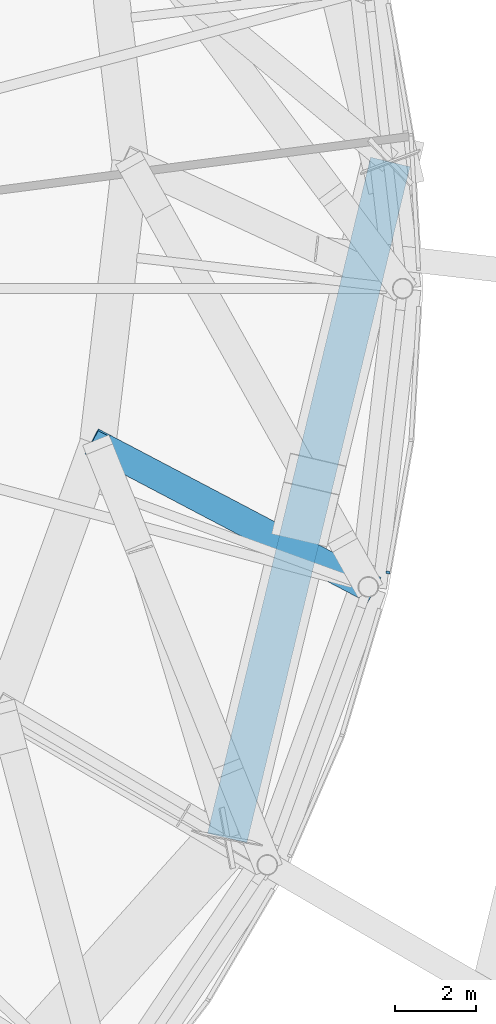
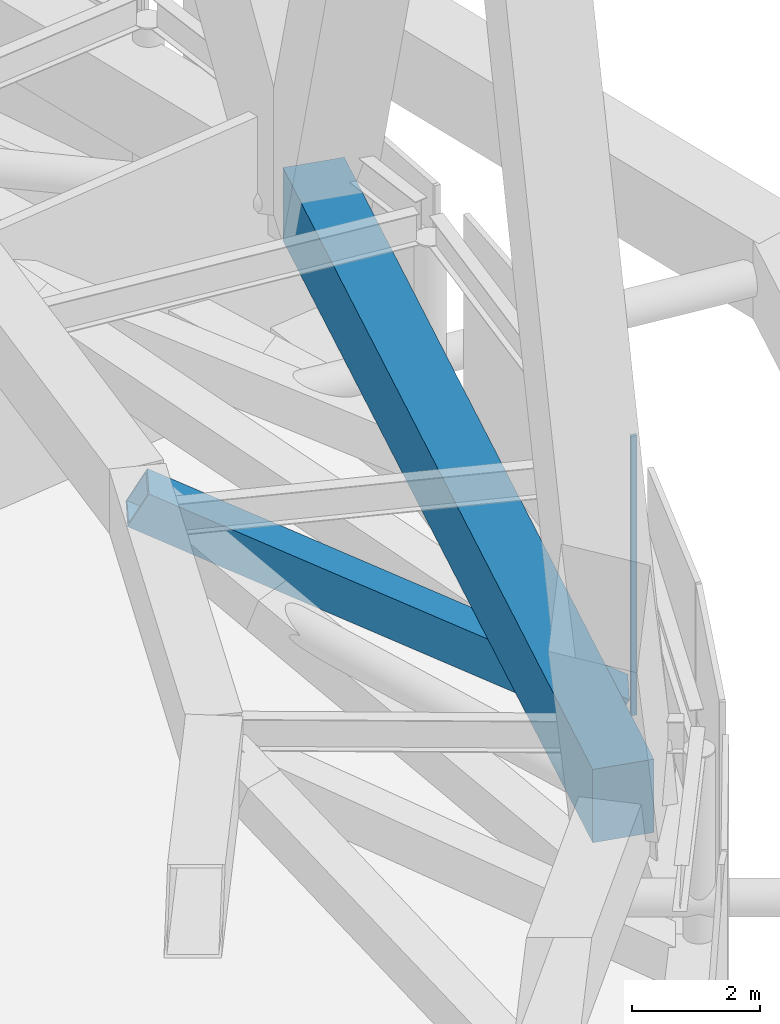
# One storey, part 24 of 60: 2 members, 1 beam, 1 element without a shape of its own.
"""IFC4 building model written with IfcOpenShell, lengths in metres."""

from ifc_helpers import new_model, si_unit, direction, frame, origin, origin_2d, place, context, subcontext, project, spatial, rectangle, hollow_rectangle, extrude, material, layer, layer_set, material_profile, profile_set, type_object, element, aggregate, save


model = new_model("IFC4")

# Units and contexts
model_context = context("Model", 3, precision=1e-05, world=origin(), true_north=direction((0.0, 1.0)))
body_context = subcontext(model_context, "Body", "Model", "MODEL_VIEW")
ifc_project = project(units=[si_unit("LENGTHUNIT", "METRE"), si_unit("AREAUNIT", "SQUARE_METRE"), si_unit("VOLUMEUNIT", "CUBIC_METRE"), si_unit("PLANEANGLEUNIT", "RADIAN"), si_unit("MASSUNIT", "GRAM", prefix="KILO")], contexts=[model_context])

# Site, building, storey
site_placement = place(None, origin())
site = spatial("IfcSite", under=ifc_project, at=site_placement, CompositionType="ELEMENT")
building_placement = place(site_placement, origin())
building = spatial("IfcBuilding", under=site, at=building_placement, Name="Nagisa Residences", CompositionType="ELEMENT")
storey_placement = place(building_placement, frame((0.0, 0.0, 206.60009765625)))
storey = spatial("IfcBuildingStorey", under=building, at=storey_placement, Name="L52", CompositionType="ELEMENT", Elevation=206.60009765625)

# Beam
ifc_material_1 = material(Name="Steel ASTM A572 Gr 50", Category="steel")
ifc_material_profile_1 = material_profile(ifc_material_1, hollow_rectangle(XDim=0.699951171875, YDim=0.699951171875, WallThickness=0.0400390625, at=origin_2d()), Name="BX 700x700x40")
ifc_profile_set_1 = profile_set([ifc_material_profile_1], Name="Steel ASTM A572 Gr 50")
beam_type = type_object("IfcBeamType", Name="Belt diagonal 4 BX 700x700x40", PredefinedType="BEAM", material=ifc_profile_set_1)
beam_placement = place(storey_placement, frame((27.62744140625, -7.343994140625, 0.599853515625), z_axis=(-0.775497684848, 0.407731793544, 0.482035398419), x_axis=(-0.465366641517, -0.885118008496, 0.0)))
element("IfcBeam", 1, at=beam_placement, inside=storey, type_object=beam_type, Name="beam:L52:bt4da24", PredefinedType="BEAM", context=body_context, shape_type="SweptSolid", body=[
    extrude(hollow_rectangle(XDim=0.699951171875, YDim=0.699951171875, WallThickness=0.0400390625, at=origin_2d()), origin(), (0.0, 0.0, 1.0), 8.5888671875),
])

# Curtain wall, member
ifc_material_2 = material(Name="Aluminium curtain wall system", Category="aluminium")
ifc_layer = layer(ifc_material_2, 0.159912109375)
ifc_layer_set = layer_set([ifc_layer], Name="CW5 CURTAIN WALL")
curtain_wall_type = type_object("IfcCurtainWallType", Name="CW5 CURTAIN WALL", PredefinedType="NOTDEFINED", material=ifc_layer_set)
curtain_wall_placement = place(storey_placement, origin())
curtain_wall = element("IfcCurtainWall", 2, at=curtain_wall_placement, inside=storey, type_object=curtain_wall_type, Name="cw:CW5:L52:46", PredefinedType="NOTDEFINED")
ifc_material_3 = material(Name="Aluminium", Category="aluminium")
ifc_material_profile_2 = material_profile(ifc_material_3, rectangle(XDim=0.10009765625, YDim=0.06005859375, at=origin_2d()), Name="CW5 MULLION 100x60")
ifc_profile_set_2 = profile_set([ifc_material_profile_2], Name="Aluminium")
member_type_1 = type_object("IfcMemberType", Name="CW5 MULLION 100x60", PredefinedType="MULLION", material=ifc_profile_set_2)
member_1_placement = place(storey_placement, frame((28.1142578125, -6.98681640625, 0.0), z_axis=(0.0, 0.0, 1.0), x_axis=(-0.985063604377, 0.172190868898, 0.0)))
member_1 = element("IfcMember", 3, at=member_1_placement, type_object=member_type_1, Name="CW5 mullion", PredefinedType="MULLION", context=body_context, shape_type="SweptSolid", body=[
    extrude(rectangle(XDim=0.10009765625, YDim=0.06005859375, at=origin_2d()), origin(), (0.0, 0.0, 1.0), 5.33984375),
])
aggregate(curtain_wall, [member_1])

# Member
ifc_material_4 = material(Name="Concrete C80", Category="concrete")
ifc_material_profile_3 = material_profile(ifc_material_4, rectangle(XDim=1.0, YDim=1.39990234375, at=origin_2d()), Name="C80 1000x1400")
ifc_profile_set_3 = profile_set([ifc_material_profile_3], Name="Concrete C80")
member_type_2 = type_object("IfcMemberType", Name="Cage ring 5 C80 1000x1400", PredefinedType="CHORD", material=ifc_profile_set_3)
member_2_placement = place(storey_placement, frame((24.15478515625, -13.52734375, 3.699951171875), z_axis=(0.234495574244, 0.972117187205, 0.0), x_axis=(-0.972117187205, 0.234495574244, 0.0)))
element("IfcMember", 4, at=member_2_placement, inside=storey, type_object=member_type_2, Name="beam:L52:cg5r012", PredefinedType="CHORD", context=body_context, shape_type="SweptSolid", body=[
    extrude(rectangle(XDim=1.0, YDim=1.39990234375, at=origin_2d()), origin(), (0.0, 0.0, 1.0), 17.12255859375),
])

save(model, "model.ifc")
